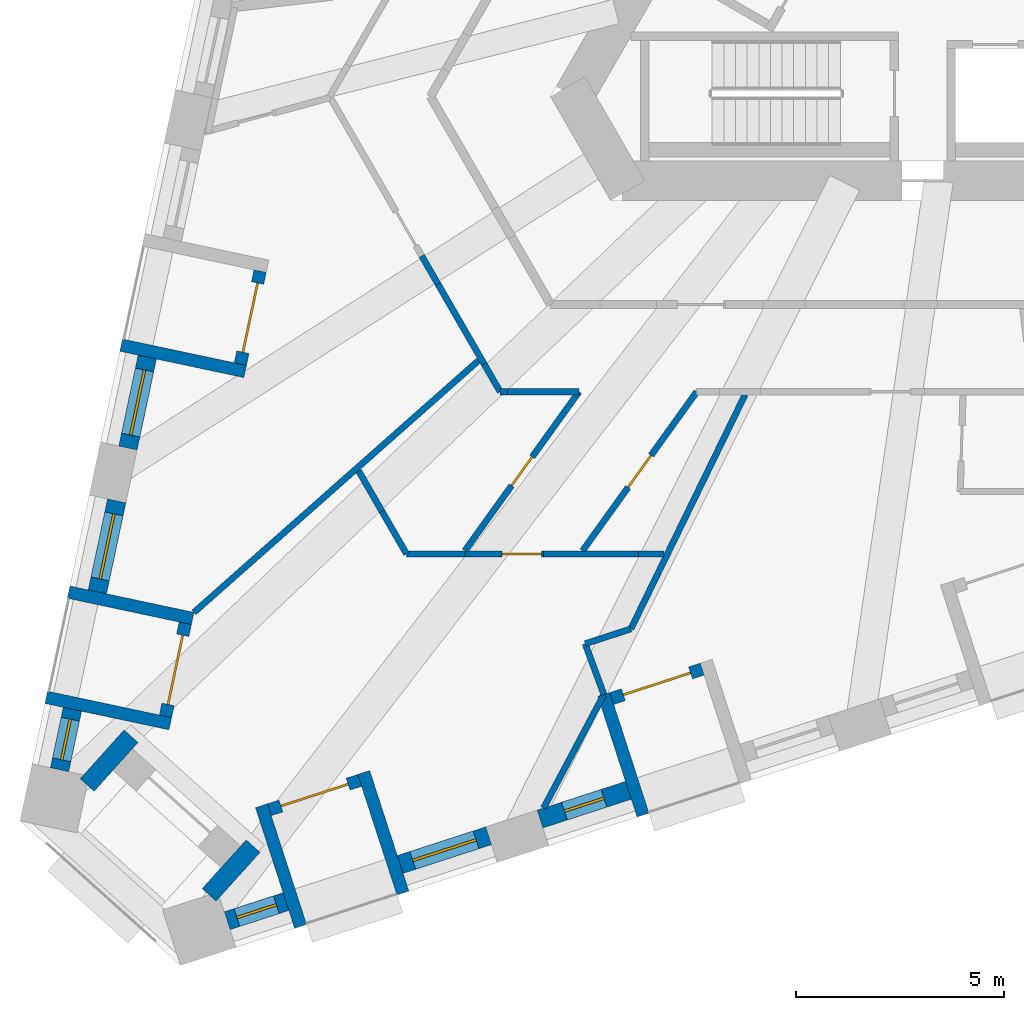
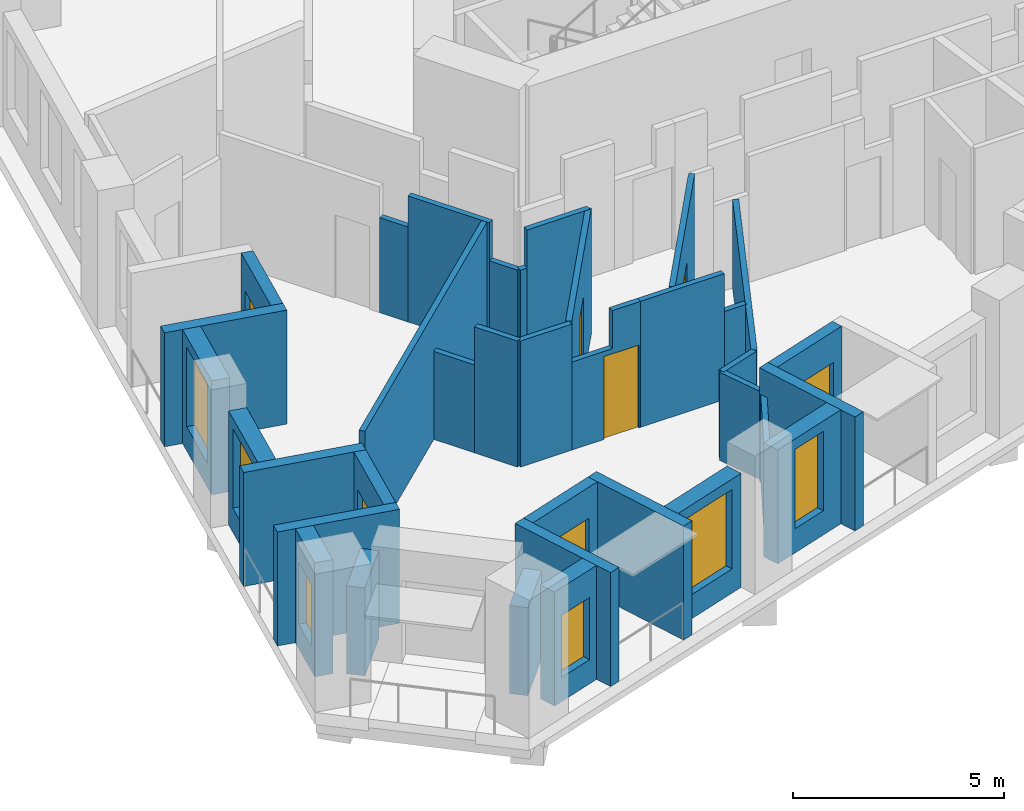
# One storey, part 2 of 13: 36 walls, 7 doors, 6 windows, 13 openings.
"""IFC4 building model written with IfcOpenShell, lengths in metres."""

from ifc_helpers import new_model, si_unit, direction, frame, frame_2d, origin, place, context, subcontext, project, spatial, polyline, rectangle, outline, extrude, material, layer, layer_set, type_object, element, fill, save


model = new_model("IFC4")

# Units and contexts
model_context = context("Model", 3, precision=1e-05, world=origin(), true_north=direction((0.0, 1.0)))
body_context = subcontext(model_context, "Body", "Model", "MODEL_VIEW")
ifc_project = project(units=[si_unit("LENGTHUNIT", "METRE"), si_unit("AREAUNIT", "SQUARE_METRE"), si_unit("VOLUMEUNIT", "CUBIC_METRE"), si_unit("PLANEANGLEUNIT", "RADIAN"), si_unit("MASSUNIT", "GRAM", prefix="KILO")], contexts=[model_context])

# Site, building, storey
site_placement = place(None, origin())
site = spatial("IfcSite", under=ifc_project, at=site_placement, CompositionType="ELEMENT")
building_placement = place(site_placement, origin())
building = spatial("IfcBuilding", under=site, at=building_placement, Name="Tramontana Tower", CompositionType="ELEMENT")
storey_placement = place(building_placement, frame((0.0, 0.0, 108.39990234375)))
storey = spatial("IfcBuildingStorey", under=building, at=storey_placement, Name="L24", CompositionType="ELEMENT", Elevation=108.39990234375)

# Wall, opening, window
ifc_material_1 = material(Name="Precast concrete 60 MPa", Category="concrete")
ifc_layer_1 = layer(ifc_material_1, 0.449951171875)
ifc_layer_set_1 = layer_set([ifc_layer_1], Name="Precast concrete 60 MPa, 450 mm")
wall_type_1 = type_object("IfcWallType", Name="EW1 Stone-faced precast wall 450", PredefinedType="SOLIDWALL", material=ifc_layer_set_1)
wall_1_placement = place(storey_placement, frame((-19.947265625, -10.516357421875, 0.0), z_axis=(0.0, 0.0, 1.0), x_axis=(-0.207941001029, -0.978141370197, 0.0)))
wall_1 = element("IfcWall", 1, at=wall_1_placement, inside=storey, type_object=wall_type_1, Name="External wall L24 face 0 bay 5", PredefinedType="SOLIDWALL", context=body_context, shape_type="SweptSolid", body=[
    extrude(rectangle(XDim=2.236572265625, YDim=0.449951171875, at=frame_2d((1.1181640625, 0.0))), origin(), (0.0, 0.0, 1.0), 3.300048828125),
])
opening_1_placement = place(wall_1_placement, frame((0.318359375, 0.0, 0.699951171875)))
opening_1 = element("IfcOpeningElement", 2, at=opening_1_placement, cuts=wall_1, Name="Opening M1", PredefinedType="OPENING", context=body_context, shape_type="SweptSolid", body=[
    extrude(rectangle(XDim=1.60009765625, YDim=2.300048828125, at=frame_2d((0.800048828125, 1.14990234375))), frame((0.0, 0.23486328125, 0.0), z_axis=(0.0, -1.0, 0.0), x_axis=(1.0, 0.0, 0.0)), (0.0, 0.0, 1.0), 0.469970703125),
])
ifc_material_2 = material(Name="Aluminum frame, double glazing unit", Category="aluminium")
window_type_1 = type_object("IfcWindowType", Name="M1 Window 1.6 x 2.3", PartitioningType="SINGLE_PANEL", PredefinedType="WINDOW", material=ifc_material_2)
window_1_placement = place(opening_1_placement, origin())
window_1 = element("IfcWindow", 3, at=window_1_placement, inside=storey, type_object=window_type_1, Name="Window M1 L24 face 0 module 15", OverallHeight=2.300048828125, OverallWidth=1.60009765625, PartitioningType="SINGLE_PANEL", PredefinedType="WINDOW", context=body_context, shape_type="SweptSolid", body=[
    extrude(rectangle(XDim=1.60009765625, YDim=2.300048828125, at=frame_2d((0.800048828125, 1.14990234375))), frame((0.0, 0.030029296875, 0.0), z_axis=(0.0, -1.0, 0.0), x_axis=(1.0, 0.0, 0.0)), (0.0, 0.0, 1.0), 0.06005859375),
])
fill(opening_1, window_1)

wall_2_placement = place(storey_placement, frame((-20.6826171875, -13.975830078125, 0.0), z_axis=(0.0, 0.0, 1.0), x_axis=(-0.207941001029, -0.978141370197, 0.0)))
wall_2 = element("IfcWall", 4, at=wall_2_placement, inside=storey, type_object=wall_type_1, Name="External wall L24 face 0 bay 6", PredefinedType="SOLIDWALL", context=body_context, shape_type="SweptSolid", body=[
    extrude(rectangle(XDim=2.236572265625, YDim=0.449951171875, at=frame_2d((1.1181640625, 0.0))), origin(), (0.0, 0.0, 1.0), 3.300048828125),
])
opening_2_placement = place(wall_2_placement, frame((0.318359375, 0.0, 0.699951171875)))
opening_2 = element("IfcOpeningElement", 5, at=opening_2_placement, cuts=wall_2, Name="Opening M1", PredefinedType="OPENING", context=body_context, shape_type="SweptSolid", body=[
    extrude(rectangle(XDim=1.60009765625, YDim=2.300048828125, at=frame_2d((0.800048828125, 1.14990234375))), frame((0.0, 0.23486328125, 0.0), z_axis=(0.0, -1.0, 0.0), x_axis=(1.0, 0.0, 0.0)), (0.0, 0.0, 1.0), 0.469970703125),
])
window_2_placement = place(opening_2_placement, origin())
window_2 = element("IfcWindow", 6, at=window_2_placement, inside=storey, type_object=window_type_1, Name="Window M1 L24 face 0 module 16", OverallHeight=2.300048828125, OverallWidth=1.60009765625, PartitioningType="SINGLE_PANEL", PredefinedType="WINDOW", context=body_context, shape_type="SweptSolid", body=[
    extrude(rectangle(XDim=1.60009765625, YDim=2.300048828125, at=frame_2d((0.800048828125, 1.14990234375))), frame((0.0, 0.030029296875, 0.0), z_axis=(0.0, -1.0, 0.0), x_axis=(1.0, 0.0, 0.0)), (0.0, 0.0, 1.0), 0.06005859375),
])
fill(opening_2, window_2)

wall_3_placement = place(storey_placement, frame((-21.747802734375, -18.9873046875, 0.0), z_axis=(0.0, 0.0, 1.0), x_axis=(-0.208037456693, -0.978120859921, 0.0)))
wall_3 = element("IfcWall", 7, at=wall_3_placement, inside=storey, type_object=wall_type_1, Name="External wall L24 face 0 bay 6", PredefinedType="SOLIDWALL", context=body_context, shape_type="SweptSolid", body=[
    extrude(rectangle(XDim=1.48681640625, YDim=0.449951171875, at=frame_2d((0.743408203125, 0.0))), origin(), (0.0, 0.0, 1.0), 3.300048828125),
])
opening_3_placement = place(wall_3_placement, frame((0.243408203125, 0.0, 0.699951171875)))
opening_3 = element("IfcOpeningElement", 8, at=opening_3_placement, cuts=wall_3, Name="Opening N1L", PredefinedType="OPENING", context=body_context, shape_type="SweptSolid", body=[
    extrude(rectangle(XDim=1.0, YDim=1.800048828125, at=frame_2d((0.5, 0.89990234375))), frame((0.0, 0.23486328125, 0.0), z_axis=(0.0, -1.0, 0.0), x_axis=(1.0, 0.0, 0.0)), (0.0, 0.0, 1.0), 0.469970703125),
])
ifc_material_3 = material(Name="Aluminum frame, double glazing unit", Category="aluminium")
window_type_2 = type_object("IfcWindowType", Name="N1L Window 1 x 1.8", PartitioningType="SINGLE_PANEL", PredefinedType="WINDOW", material=ifc_material_3)
window_3_placement = place(opening_3_placement, origin())
window_3 = element("IfcWindow", 9, at=window_3_placement, inside=storey, type_object=window_type_2, Name="Window N1L L24 face 0 module 18", OverallHeight=1.800048828125, OverallWidth=1.0, PartitioningType="SINGLE_PANEL", PredefinedType="WINDOW", context=body_context, shape_type="SweptSolid", body=[
    extrude(rectangle(XDim=1.0, YDim=1.800048828125, at=frame_2d((0.5, 0.89990234375))), frame((0.0, 0.030029296875, 0.0), z_axis=(0.0, -1.0, 0.0), x_axis=(1.0, 0.0, 0.0)), (0.0, 0.0, 1.0), 0.06005859375),
])
fill(opening_3, window_3)

wall_4_placement = place(storey_placement, frame((-18.02392578125, -24.072998046875, 0.0), z_axis=(0.0, 0.0, 1.0), x_axis=(0.951037689269, 0.309074931999, 0.0)))
wall_4 = element("IfcWall", 10, at=wall_4_placement, inside=storey, type_object=wall_type_1, Name="External wall L24 face 1 bay 1", PredefinedType="SOLIDWALL", context=body_context, shape_type="SweptSolid", body=[
    extrude(rectangle(XDim=1.486572265625, YDim=0.449951171875, at=frame_2d((0.7431640625, 0.0))), origin(), (0.0, 0.0, 1.0), 3.300048828125),
])
opening_4_placement = place(wall_4_placement, frame((0.243408203125, 0.0, 0.699951171875)))
opening_4 = element("IfcOpeningElement", 11, at=opening_4_placement, cuts=wall_4, Name="Opening N1L", PredefinedType="OPENING", context=body_context, shape_type="SweptSolid", body=[
    extrude(rectangle(XDim=1.0, YDim=1.800048828125, at=frame_2d((0.5, 0.89990234375))), frame((0.0, 0.23486328125, 0.0), z_axis=(0.0, -1.0, 0.0), x_axis=(1.0, 0.0, 0.0)), (0.0, 0.0, 1.0), 0.469970703125),
])
window_4_placement = place(opening_4_placement, origin())
window_4 = element("IfcWindow", 12, at=window_4_placement, inside=storey, type_object=window_type_2, Name="Window N1L L24 face 1 module 1", OverallHeight=1.800048828125, OverallWidth=1.0, PartitioningType="SINGLE_PANEL", PredefinedType="WINDOW", context=body_context, shape_type="SweptSolid", body=[
    extrude(rectangle(XDim=1.0, YDim=1.800048828125, at=frame_2d((0.5, 0.89990234375))), frame((0.0, 0.030029296875, 0.0), z_axis=(0.0, -1.0, 0.0), x_axis=(1.0, 0.0, 0.0)), (0.0, 0.0, 1.0), 0.06005859375),
])
fill(opening_4, window_4)

wall_5_placement = place(storey_placement, frame((-13.864501953125, -22.721435546875, 0.0), z_axis=(0.0, 0.0, 1.0), x_axis=(0.951057328329, 0.30901449518, 0.0)))
wall_5 = element("IfcWall", 13, at=wall_5_placement, inside=storey, type_object=wall_type_1, Name="External wall L24 face 1 bay 1", PredefinedType="SOLIDWALL", context=body_context, shape_type="SweptSolid", body=[
    extrude(rectangle(XDim=2.236572265625, YDim=0.449951171875, at=frame_2d((1.1181640625, 0.0))), origin(), (0.0, 0.0, 1.0), 3.300048828125),
])
opening_5_placement = place(wall_5_placement, frame((0.318359375, 0.0, 0.699951171875)))
opening_5 = element("IfcOpeningElement", 14, at=opening_5_placement, cuts=wall_5, Name="Opening M1", PredefinedType="OPENING", context=body_context, shape_type="SweptSolid", body=[
    extrude(rectangle(XDim=1.60009765625, YDim=2.300048828125, at=frame_2d((0.800048828125, 1.14990234375))), frame((0.0, 0.23486328125, 0.0), z_axis=(0.0, -1.0, 0.0), x_axis=(1.0, 0.0, 0.0)), (0.0, 0.0, 1.0), 0.469970703125),
])
window_5_placement = place(opening_5_placement, origin())
window_5 = element("IfcWindow", 15, at=window_5_placement, inside=storey, type_object=window_type_1, Name="Window M1 L24 face 1 module 3", OverallHeight=2.300048828125, OverallWidth=1.60009765625, PartitioningType="SINGLE_PANEL", PredefinedType="WINDOW", context=body_context, shape_type="SweptSolid", body=[
    extrude(rectangle(XDim=1.60009765625, YDim=2.300048828125, at=frame_2d((0.800048828125, 1.14990234375))), frame((0.0, 0.030029296875, 0.0), z_axis=(0.0, -1.0, 0.0), x_axis=(1.0, 0.0, 0.0)), (0.0, 0.0, 1.0), 0.06005859375),
])
fill(opening_5, window_5)

wall_6_placement = place(storey_placement, frame((-10.5009765625, -21.62841796875, 0.0), z_axis=(0.0, 0.0, 1.0), x_axis=(0.951067749801, 0.30898241906, 0.0)))
wall_6 = element("IfcWall", 16, at=wall_6_placement, inside=storey, type_object=wall_type_1, Name="External wall L24 face 1 bay 2", PredefinedType="SOLIDWALL", context=body_context, shape_type="SweptSolid", body=[
    extrude(rectangle(XDim=2.23681640625, YDim=0.449951171875, at=frame_2d((1.118408203125, 0.0))), origin(), (0.0, 0.0, 1.0), 3.300048828125),
])
opening_6_placement = place(wall_6_placement, frame((0.618408203125, 0.0, 0.699951171875)))
opening_6 = element("IfcOpeningElement", 17, at=opening_6_placement, cuts=wall_6, Name="Opening N1", PredefinedType="OPENING", context=body_context, shape_type="SweptSolid", body=[
    extrude(rectangle(XDim=1.0, YDim=2.300048828125, at=frame_2d((0.5, 1.14990234375))), frame((0.0, 0.23486328125, 0.0), z_axis=(0.0, -1.0, 0.0), x_axis=(1.0, 0.0, 0.0)), (0.0, 0.0, 1.0), 0.469970703125),
])
ifc_material_4 = material(Name="Aluminum frame, double glazing unit", Category="aluminium")
window_type_3 = type_object("IfcWindowType", Name="N1 Window 1 x 2.3", PartitioningType="SINGLE_PANEL", PredefinedType="WINDOW", material=ifc_material_4)
window_6_placement = place(opening_6_placement, origin())
window_6 = element("IfcWindow", 18, at=window_6_placement, inside=storey, type_object=window_type_3, Name="Window N1 L24 face 1 module 4", OverallHeight=2.300048828125, OverallWidth=1.0, PartitioningType="SINGLE_PANEL", PredefinedType="WINDOW", context=body_context, shape_type="SweptSolid", body=[
    extrude(rectangle(XDim=1.0, YDim=2.300048828125, at=frame_2d((0.5, 1.14990234375))), frame((0.0, 0.030029296875, 0.0), z_axis=(0.0, -1.0, 0.0), x_axis=(1.0, 0.0, 0.0)), (0.0, 0.0, 1.0), 0.06005859375),
])
fill(opening_6, window_6)

# Walls
for number, where, z_axis, x_axis, name in (
    (19, (-18.45849609375, -23.451904296875, 0.0), (0.0, 0.0, 1.0), (0.669109923521, 0.743163447867, 0.0), "Corner loggia side wall L24 K21l"),
    (20, (-21.393798828125, -20.808837890625, 0.0), (0.0, 0.0, 1.0), (0.669109923521, 0.743163447867, 0.0), "Corner loggia side wall L24 K21r"),
):
    element("IfcWall", number, at=place(storey_placement, frame(where, z_axis=z_axis, x_axis=x_axis)), inside=storey, type_object=wall_type_1, Name=name, PredefinedType="SOLIDWALL", context=body_context, shape_type="SweptSolid", body=[
        extrude(rectangle(XDim=1.5791015625, YDim=0.449951171875, at=frame_2d((0.78955078125, 0.0))), origin(), (0.0, 0.0, 1.0), 2.550048828125),
    ])

# Wall, opening, door
ifc_material_5 = material(Name="Precast concrete 60 MPa", Category="concrete")
ifc_layer_2 = layer(ifc_material_5, 0.300048828125)
ifc_layer_set_2 = layer_set([ifc_layer_2], Name="LW1 Stone-faced loggia wall 300")
wall_type_2 = type_object("IfcWallType", Name="LW1 Stone-faced loggia wall 300", PredefinedType="SOLIDWALL", material=ifc_layer_set_2)
wall_7_placement = place(storey_placement, frame((-17.233154296875, -8.44873046875, 0.0), z_axis=(0.0, 0.0, 1.0), x_axis=(-0.207866417042, -0.978157222877, 0.0)))
wall_7 = element("IfcWall", 21, at=wall_7_placement, inside=storey, type_object=wall_type_2, Name="Loggia wall L24 G2S0.13", PredefinedType="SOLIDWALL", context=body_context, shape_type="SweptSolid", body=[
    extrude(rectangle(XDim=2.286865234375, YDim=0.300048828125, at=frame_2d((1.1435546875, 0.0))), origin(), (0.0, 0.0, 1.0), 3.300048828125),
])
opening_7_placement = place(wall_7_placement, frame((0.29345703125, 0.0, 0.0)))
opening_7 = element("IfcOpeningElement", 22, at=opening_7_placement, cuts=wall_7, Name="Opening BD-2S0-13", PredefinedType="OPENING", context=body_context, shape_type="SweptSolid", body=[
    extrude(rectangle(XDim=1.699951171875, YDim=2.39990234375, at=frame_2d((0.85009765625, 1.199951171875))), frame((0.0, 0.159912109375, 0.0), z_axis=(0.0, -1.0, 0.0), x_axis=(1.0, 0.0, 0.0)), (0.0, 0.0, 1.0), 0.320068359375),
])
ifc_material_6 = material(Name="Aluminum frame, double glazing unit", Category="aluminium")
door_type_1 = type_object("IfcDoorType", Name="BD1 Sliding door 1.7 x 2.4", OperationType="SLIDING_TO_LEFT", PredefinedType="DOOR", material=ifc_material_6)
door_1_placement = place(opening_7_placement, origin())
door_1 = element("IfcDoor", 23, at=door_1_placement, inside=storey, type_object=door_type_1, Name="Loggia door L24 G2S0.13", OperationType="SLIDING_TO_LEFT", OverallHeight=2.39990234375, OverallWidth=1.699951171875, PredefinedType="DOOR", context=body_context, shape_type="SweptSolid", body=[
    extrude(rectangle(XDim=1.699951171875, YDim=2.39990234375, at=frame_2d((0.85009765625, 1.199951171875))), frame((0.0, 0.02490234375, 0.0), z_axis=(0.0, -1.0, 0.0), x_axis=(1.0, 0.0, 0.0)), (0.0, 0.0, 1.0), 0.050048828125),
])
fill(opening_7, door_1)

# Wall
wall_8_placement = place(storey_placement, frame((-20.576416015625, -10.229248046875, 0.0), z_axis=(0.0, 0.0, 1.0), x_axis=(0.978154782045, -0.207877902534, 0.0)))
element("IfcWall", 24, at=wall_8_placement, inside=storey, type_object=wall_type_2, Name="Loggia return L24 G2S0.13b", PredefinedType="SOLIDWALL", context=body_context, shape_type="SweptSolid", body=[
    extrude(rectangle(XDim=3.050048828125, YDim=0.300048828125, at=frame_2d((1.52490234375, 0.0))), origin(), (0.0, 0.0, 1.0), 3.300048828125),
])

# Wall, opening, door
wall_9_placement = place(storey_placement, frame((-19.03369140625, -16.919677734375, 0.0), z_axis=(0.0, 0.0, 1.0), x_axis=(-0.207968563016, -0.978135510447, 0.0)))
wall_9 = element("IfcWall", 25, at=wall_9_placement, inside=storey, type_object=wall_type_2, Name="Loggia wall L24 G2S0.16", PredefinedType="SOLIDWALL", context=body_context, shape_type="SweptSolid", body=[
    extrude(rectangle(XDim=2.286865234375, YDim=0.300048828125, at=frame_2d((1.1435546875, 0.0))), origin(), (0.0, 0.0, 1.0), 3.300048828125),
])
opening_8_placement = place(wall_9_placement, frame((0.29345703125, 0.0, 0.0)))
opening_8 = element("IfcOpeningElement", 26, at=opening_8_placement, cuts=wall_9, Name="Opening BD-2S0-16", PredefinedType="OPENING", context=body_context, shape_type="SweptSolid", body=[
    extrude(rectangle(XDim=1.699951171875, YDim=2.39990234375, at=frame_2d((0.85009765625, 1.199951171875))), frame((0.0, 0.159912109375, 0.0), z_axis=(0.0, -1.0, 0.0), x_axis=(1.0, 0.0, 0.0)), (0.0, 0.0, 1.0), 0.320068359375),
])
door_2_placement = place(opening_8_placement, origin())
door_2 = element("IfcDoor", 27, at=door_2_placement, inside=storey, type_object=door_type_1, Name="Loggia door L24 G2S0.16", OperationType="SLIDING_TO_LEFT", OverallHeight=2.39990234375, OverallWidth=1.699951171875, PredefinedType="DOOR", context=body_context, shape_type="SweptSolid", body=[
    extrude(rectangle(XDim=1.699951171875, YDim=2.39990234375, at=frame_2d((0.85009765625, 1.199951171875))), frame((0.0, 0.02490234375, 0.0), z_axis=(0.0, -1.0, 0.0), x_axis=(1.0, 0.0, 0.0)), (0.0, 0.0, 1.0), 0.050048828125),
])
fill(opening_8, door_2)

# Walls
for number, where, z_axis, x_axis, name in (
    (28, (-21.839111328125, -16.169921875, 0.0), (0.0, 0.0, 1.0), (0.978138503145, -0.207954487003, 0.0), "Loggia return L24 G2S0.16a"),
    (29, (-22.376953125, -18.7001953125, 0.0), (0.0, 0.0, 1.0), (0.978154782045, -0.207877902534, 0.0), "Loggia return L24 G2S0.16b"),
):
    element("IfcWall", number, at=place(storey_placement, frame(where, z_axis=z_axis, x_axis=x_axis)), inside=storey, type_object=wall_type_2, Name=name, PredefinedType="SOLIDWALL", context=body_context, shape_type="SweptSolid", body=[
        extrude(rectangle(XDim=3.050048828125, YDim=0.300048828125, at=frame_2d((1.52490234375, 0.0))), origin(), (0.0, 0.0, 1.0), 3.300048828125),
    ])

# Wall, opening, door
wall_10_placement = place(storey_placement, frame((-17.01220703125, -21.40478515625, 0.0), z_axis=(0.0, 0.0, 1.0), x_axis=(0.95103720697, 0.309076416051, 0.0)))
wall_10 = element("IfcWall", 30, at=wall_10_placement, inside=storey, type_object=wall_type_2, Name="Loggia wall L24 G2S1.1", PredefinedType="SOLIDWALL", context=body_context, shape_type="SweptSolid", body=[
    extrude(rectangle(XDim=2.286865234375, YDim=0.300048828125, at=frame_2d((1.1435546875, 0.0))), origin(), (0.0, 0.0, 1.0), 3.300048828125),
])
opening_9_placement = place(wall_10_placement, frame((0.29345703125, 0.0, 0.0)))
opening_9 = element("IfcOpeningElement", 31, at=opening_9_placement, cuts=wall_10, Name="Opening BD-2S1-01", PredefinedType="OPENING", context=body_context, shape_type="SweptSolid", body=[
    extrude(rectangle(XDim=1.699951171875, YDim=2.39990234375, at=frame_2d((0.85009765625, 1.199951171875))), frame((0.0, 0.159912109375, 0.0), z_axis=(0.0, -1.0, 0.0), x_axis=(1.0, 0.0, 0.0)), (0.0, 0.0, 1.0), 0.320068359375),
])
door_3_placement = place(opening_9_placement, origin())
door_3 = element("IfcDoor", 32, at=door_3_placement, inside=storey, type_object=door_type_1, Name="Loggia door L24 G2S1.1", OperationType="SLIDING_TO_LEFT", OverallHeight=2.39990234375, OverallWidth=1.699951171875, PredefinedType="DOOR", context=body_context, shape_type="SweptSolid", body=[
    extrude(rectangle(XDim=1.699951171875, YDim=2.39990234375, at=frame_2d((0.85009765625, 1.199951171875))), frame((0.0, 0.02490234375, 0.0), z_axis=(0.0, -1.0, 0.0), x_axis=(1.0, 0.0, 0.0)), (0.0, 0.0, 1.0), 0.050048828125),
])
fill(opening_9, door_3)

# Walls
for number, where, z_axis, x_axis, name in (
    (33, (-16.2587890625, -24.209228515625, 0.0), (0.0, 0.0, 1.0), (-0.308966615996, 0.951072883748, 0.0), "Loggia return L24 G2S1.1a"),
    (34, (-13.798583984375, -23.40966796875, 0.0), (0.0, 0.0, 1.0), (-0.309062542235, 0.951041715693, 0.0), "Loggia return L24 G2S1.1b"),
):
    element("IfcWall", number, at=place(storey_placement, frame(where, z_axis=z_axis, x_axis=x_axis)), inside=storey, type_object=wall_type_2, Name=name, PredefinedType="SOLIDWALL", context=body_context, shape_type="SweptSolid", body=[
        extrude(rectangle(XDim=3.050048828125, YDim=0.300048828125, at=frame_2d((1.52490234375, 0.0))), origin(), (0.0, 0.0, 1.0), 3.300048828125),
    ])

# Wall, opening, door
wall_11_placement = place(storey_placement, frame((-8.77587890625, -18.728515625, 0.0), z_axis=(0.0, 0.0, 1.0), x_axis=(0.951068585107, 0.308979847923, 0.0)))
wall_11 = element("IfcWall", 35, at=wall_11_placement, inside=storey, type_object=wall_type_2, Name="Loggia wall L24 G2S1.4", PredefinedType="SOLIDWALL", context=body_context, shape_type="SweptSolid", body=[
    extrude(rectangle(XDim=2.28662109375, YDim=0.300048828125, at=frame_2d((1.143310546875, 0.0))), origin(), (0.0, 0.0, 1.0), 3.300048828125),
])
opening_10_placement = place(wall_11_placement, frame((0.29345703125, 0.0, 0.0)))
opening_10 = element("IfcOpeningElement", 36, at=opening_10_placement, cuts=wall_11, Name="Opening BD-2S1-04", PredefinedType="OPENING", context=body_context, shape_type="SweptSolid", body=[
    extrude(rectangle(XDim=1.699951171875, YDim=2.39990234375, at=frame_2d((0.85009765625, 1.199951171875))), frame((0.0, 0.159912109375, 0.0), z_axis=(0.0, -1.0, 0.0), x_axis=(1.0, 0.0, 0.0)), (0.0, 0.0, 1.0), 0.320068359375),
])
door_4_placement = place(opening_10_placement, origin())
door_4 = element("IfcDoor", 37, at=door_4_placement, inside=storey, type_object=door_type_1, Name="Loggia door L24 G2S1.4", OperationType="SLIDING_TO_LEFT", OverallHeight=2.39990234375, OverallWidth=1.699951171875, PredefinedType="DOOR", context=body_context, shape_type="SweptSolid", body=[
    extrude(rectangle(XDim=1.699951171875, YDim=2.39990234375, at=frame_2d((0.85009765625, 1.199951171875))), frame((0.0, 0.02490234375, 0.0), z_axis=(0.0, -1.0, 0.0), x_axis=(1.0, 0.0, 0.0)), (0.0, 0.0, 1.0), 0.050048828125),
])
fill(opening_10, door_4)

# Walls
wall_12_placement = place(storey_placement, frame((-8.0224609375, -21.532958984375, 0.0), z_axis=(0.0, 0.0, 1.0), x_axis=(-0.308990138358, 0.951065241925, 0.0)))
element("IfcWall", 38, at=wall_12_placement, inside=storey, type_object=wall_type_2, Name="Loggia return L24 G2S1.4a", PredefinedType="SOLIDWALL", context=body_context, shape_type="SweptSolid", body=[
    extrude(rectangle(XDim=3.0498046875, YDim=0.300048828125, at=frame_2d((1.52490234375, 0.0))), origin(), (0.0, 0.0, 1.0), 3.300048828125),
])
ifc_material_7 = material(Name="Gypsum board partition")
ifc_layer_3 = layer(ifc_material_7, 0.14990234375)
ifc_layer_set_3 = layer_set([ifc_layer_3], Name="PARTITION 150")
wall_type_3 = type_object("IfcWallType", Name="PARTITION 150", PredefinedType="PARTITIONING", material=ifc_layer_set_3)
wall_13_placement = place(storey_placement, frame((-18.82470703125, -16.657470703125, 0.0), z_axis=(0.0, 0.0, 1.0), x_axis=(0.748903254117, 0.66267934627, 0.0)))
element("IfcWall", 39, at=wall_13_placement, inside=storey, type_object=wall_type_3, Name="Wall v21-pw00", PredefinedType="PARTITIONING", context=body_context, shape_type="SweptSolid", body=[
    extrude(rectangle(XDim=9.139892578125, YDim=0.14990234375, at=frame_2d((4.56982421875, 0.0))), origin(), (0.0, 0.0, 1.0), 3.650146484375),
])
wall_14_placement = place(storey_placement, frame((-13.712158203125, -15.25, 0.0), z_axis=(0.0, 0.0, 1.0), x_axis=(-0.499907924584, 0.866078557025, 0.0)))
element("IfcWall", 40, at=wall_14_placement, inside=storey, type_object=wall_type_3, Name="Wall v21-pw05-0", PredefinedType="PARTITIONING", context=body_context, shape_type="SweptSolid", body=[
    extrude(rectangle(XDim=1.177490234375, YDim=0.14990234375, at=frame_2d((0.5888671875, 0.0))), origin(), (0.0, 0.0, 1.0), 3.650146484375),
])
wall_15_placement = place(storey_placement, frame((-14.30078125, -14.230224609375, 0.0), z_axis=(0.0, 0.0, 1.0), x_axis=(-0.500097243556, 0.865969252911, 0.0)))
element("IfcWall", 41, at=wall_15_placement, inside=storey, type_object=wall_type_3, Name="Wall v21-pw05-1", PredefinedType="PARTITIONING", context=body_context, shape_type="SweptSolid", body=[
    extrude(rectangle(XDim=1.127685546875, YDim=0.14990234375, at=frame_2d((0.56396484375, 0.0))), origin(), (0.0, 0.0, 1.0), 2.550048828125),
])

# Wall, opening, door
wall_16_placement = place(storey_placement, frame((-12.30908203125, -15.175048828125, 0.0), z_axis=(0.0, 0.0, 1.0), x_axis=(0.583169058274, 0.812350816749, 0.0)))
wall_16 = element("IfcWall", 42, at=wall_16_placement, inside=storey, type_object=wall_type_3, Name="Wall v21-pw06", PredefinedType="PARTITIONING", context=body_context, shape_type="SweptSolid", body=[
    extrude(rectangle(XDim=4.70849609375, YDim=0.14990234375, at=frame_2d((2.354248046875, 0.0))), origin(), (0.0, 0.0, 1.0), 3.650146484375),
])
opening_11_placement = place(wall_16_placement, frame((1.92919921875, 0.0, 0.0)))
opening_11 = element("IfcOpeningElement", 43, at=opening_11_placement, cuts=wall_16, Name="Opening B2B-11", PredefinedType="OPENING", context=body_context, shape_type="SweptSolid", body=[
    extrude(rectangle(XDim=0.85009765625, YDim=2.39990234375, at=frame_2d((0.425048828125, 1.199951171875))), frame((0.0, 0.0849609375, 0.0), z_axis=(0.0, -1.0, 0.0), x_axis=(1.0, 0.0, 0.0)), (0.0, 0.0, 1.0), 0.169921875),
])
ifc_material_8 = material(Name="Painted timber", Category="wood")
door_type_2 = type_object("IfcDoorType", Name="DOOR BATH 850", OperationType="SINGLE_SWING_LEFT", PredefinedType="DOOR", material=ifc_material_8)
door_5_placement = place(opening_11_placement, origin())
door_5 = element("IfcDoor", 44, at=door_5_placement, inside=storey, type_object=door_type_2, Name="Door B2B-11", OperationType="SINGLE_SWING_LEFT", OverallHeight=2.39990234375, OverallWidth=0.85009765625, PredefinedType="DOOR", context=body_context, shape_type="SweptSolid", body=[
    extrude(rectangle(XDim=0.85009765625, YDim=2.39990234375, at=frame_2d((0.425048828125, 1.199951171875))), frame((0.0, 0.02490234375, 0.0), z_axis=(0.0, -1.0, 0.0), x_axis=(1.0, 0.0, 0.0)), (0.0, 0.0, 1.0), 0.050048828125),
])
fill(opening_11, door_5)

# Walls
wall_17_placement = place(storey_placement, frame((-11.46044921875, -11.35009765625, 0.0), z_axis=(0.0, 0.0, 1.0), x_axis=(-0.49974986996, 0.866169768276, 0.0)))
element("IfcWall", 45, at=wall_17_placement, inside=storey, type_object=wall_type_3, Name="Wall v21-pw12-0", PredefinedType="PARTITIONING", context=body_context, shape_type="SweptSolid", body=[
    extrude(rectangle(XDim=0.77099609375, YDim=0.14990234375, at=frame_2d((0.385498046875, 0.0))), origin(), (0.0, 0.0, 1.0), 2.550048828125),
])
wall_18_placement = place(storey_placement, frame((-11.845703125, -10.682373046875, 0.0), z_axis=(0.0, 0.0, 1.0), x_axis=(-0.500067425712, 0.865986472032, 0.0)))
element("IfcWall", 46, at=wall_18_placement, inside=storey, type_object=wall_type_3, Name="Wall v21-pw12-1", PredefinedType="PARTITIONING", context=body_context, shape_type="SweptSolid", body=[
    extrude(rectangle(XDim=2.225830078125, YDim=0.14990234375, at=frame_2d((1.11279296875, 0.0))), origin(), (0.0, 0.0, 1.0), 3.650146484375),
])
wall_19_placement = place(storey_placement, frame((-12.958740234375, -8.7548828125, 0.0), z_axis=(0.0, 0.0, 1.0), x_axis=(-0.500031167255, 0.866007408613, 0.0)))
element("IfcWall", 47, at=wall_19_placement, inside=storey, type_object=wall_type_3, Name="Wall v21-pw12-2", PredefinedType="PARTITIONING", context=body_context, shape_type="SweptSolid", body=[
    extrude(rectangle(XDim=0.77587890625, YDim=0.14990234375, at=frame_2d((0.387939453125, 0.0))), origin(), (0.0, 0.0, 1.0), 2.75),
])
wall_20_placement = place(storey_placement, frame((-9.563232421875, -11.35009765625, 0.0), z_axis=(0.0, 0.0, 1.0), x_axis=(-1.0, 0.0, 0.0)))
element("IfcWall", 48, at=wall_20_placement, inside=storey, type_object=wall_type_3, Name="Wall v21-pw16-0", PredefinedType="PARTITIONING", context=body_context, shape_type="SweptSolid", body=[
    extrude(rectangle(XDim=1.71484375, YDim=0.14990234375, at=frame_2d((0.857421875, 0.0))), origin(), (0.0, 0.0, 1.0), 3.650146484375),
])
wall_21_placement = place(storey_placement, frame((-11.278076171875, -11.35009765625, 0.0), z_axis=(0.0, 0.0, 1.0), x_axis=(-1.0, 0.0, 0.0)))
element("IfcWall", 49, at=wall_21_placement, inside=storey, type_object=wall_type_3, Name="Wall v21-pw16-1", PredefinedType="PARTITIONING", context=body_context, shape_type="SweptSolid", body=[
    extrude(rectangle(XDim=0.182373046875, YDim=0.14990234375, at=frame_2d((0.09130859375, 0.0))), origin(), (0.0, 0.0, 1.0), 2.550048828125),
])
wall_22_placement = place(storey_placement, frame((-9.413818359375, -17.4130859375, 0.0), z_axis=(0.0, 0.0, 1.0), x_axis=(0.345557322038, -0.938397643425, 0.0)))
element("IfcWall", 50, at=wall_22_placement, inside=storey, type_object=wall_type_3, Name="Wall v21-pw19-0", PredefinedType="PARTITIONING", context=body_context, shape_type="SweptSolid", body=[
    extrude(rectangle(XDim=1.29931640625, YDim=0.14990234375, at=frame_2d((0.649658203125, 0.0))), origin(), (0.0, 0.0, 1.0), 2.550048828125),
])
wall_23_placement = place(storey_placement, frame((-8.96484375, -18.63232421875, 0.0), z_axis=(0.0, 0.0, 1.0), x_axis=(-0.469355189183, -0.883009459965, 0.0)))
element("IfcWall", 51, at=wall_23_placement, inside=storey, type_object=wall_type_3, Name="Wall v21-pw20-0", PredefinedType="PARTITIONING", context=body_context, shape_type="SweptSolid", body=[
    extrude(rectangle(XDim=3.094482421875, YDim=0.14990234375, at=frame_2d((1.54736328125, 0.0))), origin(), (0.0, 0.0, 1.0), 2.550048828125),
])
wall_24_placement = place(storey_placement, frame((-8.3154296875, -17.05419921875, 0.0), z_axis=(0.0, 0.0, 1.0), x_axis=(-0.951068277926, -0.308980793452, 0.0)))
element("IfcWall", 52, at=wall_24_placement, inside=storey, type_object=wall_type_3, Name="Wall v21-pw21-0", PredefinedType="PARTITIONING", context=body_context, shape_type="SweptSolid", body=[
    extrude(rectangle(XDim=1.153564453125, YDim=0.14990234375, at=frame_2d((0.57666015625, 0.0))), origin(), (0.0, 0.0, 1.0), 2.550048828125),
])
wall_25_placement = place(storey_placement, frame((-7.519287109375, -15.25, 0.0), z_axis=(0.0, 0.0, 1.0), x_axis=(-1.0, 0.0, 0.0)))
element("IfcWall", 53, at=wall_25_placement, inside=storey, type_object=wall_type_3, Name="Wall v21-pw22-0", PredefinedType="PARTITIONING", context=body_context, shape_type="SweptSolid", body=[
    extrude(rectangle(XDim=0.6142578125, YDim=0.14990234375, at=frame_2d((0.30712890625, 0.0))), origin(), (0.0, 0.0, 1.0), 2.550048828125),
])
wall_26_placement = place(storey_placement, frame((-8.133544921875, -15.25, 0.0), z_axis=(0.0, 0.0, 1.0), x_axis=(-1.0, 0.0, 0.0)))
element("IfcWall", 54, at=wall_26_placement, inside=storey, type_object=wall_type_3, Name="Wall v21-pw22-1", PredefinedType="PARTITIONING", context=body_context, shape_type="SweptSolid", body=[
    extrude(rectangle(XDim=2.28759765625, YDim=0.14990234375, at=frame_2d((1.143798828125, 0.0))), origin(), (0.0, 0.0, 1.0), 3.650146484375),
])

# Wall, opening, door
wall_27_placement = place(storey_placement, frame((-10.421142578125, -15.25, 0.0), z_axis=(0.0, 0.0, 1.0), x_axis=(-1.0, 0.0, 0.0)))
wall_27 = element("IfcWall", 55, at=wall_27_placement, inside=storey, type_object=wall_type_3, Name="Wall v21-pw22-2", PredefinedType="PARTITIONING", context=body_context, shape_type="SweptSolid", body=[
    extrude(outline(polyline([(0.0, 0.0), (1.8818359375, 0.0), (1.8818359375, 2.550048828125), (0.777099609375, 2.550048828125), (0.777099609375, 3.650146484375), (0.0, 3.650146484375), (0.0, 0.0)])), frame((0.0, 0.074951171875, 0.0), z_axis=(0.0, -1.0, 0.0), x_axis=(1.0, 0.0, 0.0)), (0.0, 0.0, 1.0), 0.14990234375),
])
opening_12_placement = place(wall_27_placement, frame((0.050048828125, 0.0, 0.0)))
opening_12 = element("IfcOpeningElement", 56, at=opening_12_placement, cuts=wall_27, Name="Opening B2B-12", PredefinedType="OPENING", context=body_context, shape_type="SweptSolid", body=[
    extrude(rectangle(XDim=0.949951171875, YDim=2.39990234375, at=frame_2d((0.47509765625, 1.199951171875))), frame((0.0, 0.0849609375, 0.0), z_axis=(0.0, -1.0, 0.0), x_axis=(1.0, 0.0, 0.0)), (0.0, 0.0, 1.0), 0.169921875),
])
ifc_material_9 = material(Name="Painted timber", Category="wood")
door_type_3 = type_object("IfcDoorType", Name="DOOR ROOM 950", OperationType="SINGLE_SWING_LEFT", PredefinedType="DOOR", material=ifc_material_9)
door_6_placement = place(opening_12_placement, origin())
door_6 = element("IfcDoor", 57, at=door_6_placement, inside=storey, type_object=door_type_3, Name="Door B2B-12", OperationType="SINGLE_SWING_RIGHT", OverallHeight=2.39990234375, OverallWidth=0.949951171875, PredefinedType="DOOR", context=body_context, shape_type="SweptSolid", body=[
    extrude(rectangle(XDim=0.949951171875, YDim=2.39990234375, at=frame_2d((0.47509765625, 1.199951171875))), frame((0.0, 0.02490234375, 0.0), z_axis=(0.0, -1.0, 0.0), x_axis=(1.0, 0.0, 0.0)), (0.0, 0.0, 1.0), 0.050048828125),
])
fill(opening_12, door_6)

# Wall
wall_28_placement = place(storey_placement, frame((-12.302978515625, -15.25, 0.0), z_axis=(0.0, 0.0, 1.0), x_axis=(-1.0, 0.0, 0.0)))
element("IfcWall", 58, at=wall_28_placement, inside=storey, type_object=wall_type_3, Name="Wall v21-pw22-3", PredefinedType="PARTITIONING", context=body_context, shape_type="SweptSolid", body=[
    extrude(rectangle(XDim=1.4091796875, YDim=0.14990234375, at=frame_2d((0.70458984375, 0.0))), origin(), (0.0, 0.0, 1.0), 3.650146484375),
])

# Wall, opening, door
wall_29_placement = place(storey_placement, frame((-6.73193359375, -11.35009765625, 0.0), z_axis=(0.0, 0.0, 1.0), x_axis=(-0.583169058274, -0.812350816749, 0.0)))
wall_29 = element("IfcWall", 59, at=wall_29_placement, inside=storey, type_object=wall_type_3, Name="Wall v21-pw25", PredefinedType="PARTITIONING", context=body_context, shape_type="SweptSolid", body=[
    extrude(rectangle(XDim=4.70849609375, YDim=0.14990234375, at=frame_2d((2.354248046875, 0.0))), origin(), (0.0, 0.0, 1.0), 3.650146484375),
])
opening_13_placement = place(wall_29_placement, frame((1.879150390625, 0.0, 0.0)))
opening_13 = element("IfcOpeningElement", 60, at=opening_13_placement, cuts=wall_29, Name="Opening B2B-10", PredefinedType="OPENING", context=body_context, shape_type="SweptSolid", body=[
    extrude(rectangle(XDim=0.949951171875, YDim=2.39990234375, at=frame_2d((0.47509765625, 1.199951171875))), frame((0.0, 0.0849609375, 0.0), z_axis=(0.0, -1.0, 0.0), x_axis=(1.0, 0.0, 0.0)), (0.0, 0.0, 1.0), 0.169921875),
])
door_7_placement = place(opening_13_placement, origin())
door_7 = element("IfcDoor", 61, at=door_7_placement, inside=storey, type_object=door_type_3, Name="Door B2B-10", OperationType="SINGLE_SWING_RIGHT", OverallHeight=2.39990234375, OverallWidth=0.949951171875, PredefinedType="DOOR", context=body_context, shape_type="SweptSolid", body=[
    extrude(rectangle(XDim=0.949951171875, YDim=2.39990234375, at=frame_2d((0.47509765625, 1.199951171875))), frame((0.0, 0.02490234375, 0.0), z_axis=(0.0, -1.0, 0.0), x_axis=(1.0, 0.0, 0.0)), (0.0, 0.0, 1.0), 0.050048828125),
])
fill(opening_13, door_7)

# Wall
wall_30_placement = place(storey_placement, frame((-5.57080078125, -11.425048828125, 0.0), z_axis=(0.0, 0.0, 1.0), x_axis=(-0.438271544149, -0.898842618921, 0.0)))
element("IfcWall", 62, at=wall_30_placement, inside=storey, type_object=wall_type_3, Name="Wall v21-pw28-0", PredefinedType="PARTITIONING", context=body_context, shape_type="SweptSolid", body=[
    extrude(rectangle(XDim=6.262451171875, YDim=0.14990234375, at=frame_2d((3.13134765625, 0.0))), origin(), (0.0, 0.0, 1.0), 2.550048828125),
])

save(model, "model.ifc")
